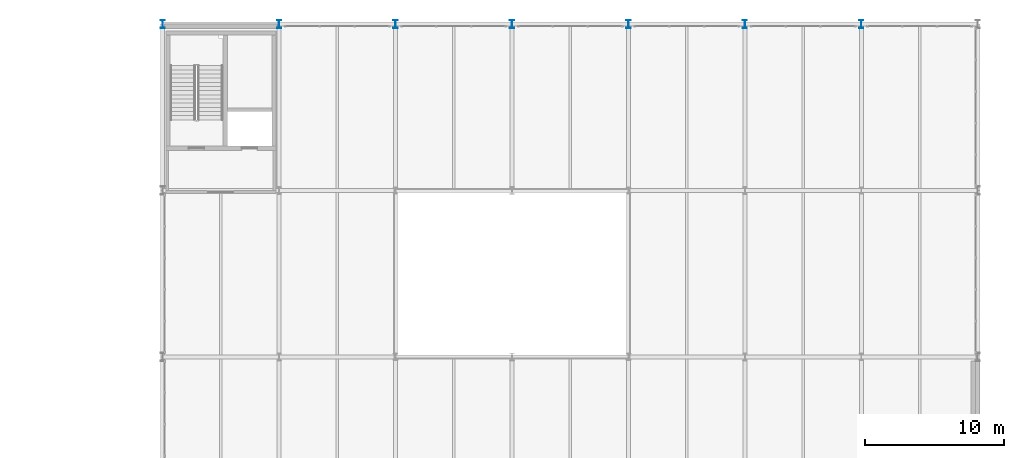
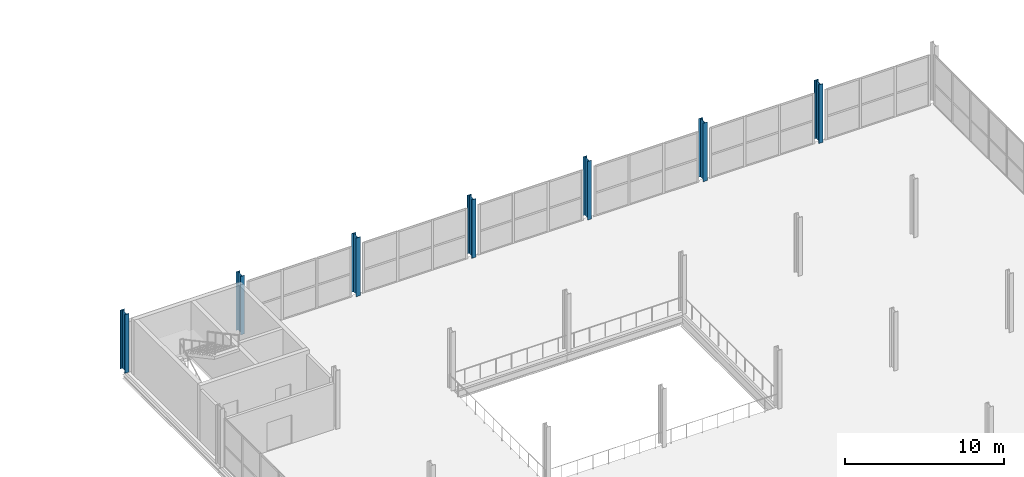
# One storey, part 7 of 109: 7 columns.
"""IFC4 building model written with IfcOpenShell, lengths in metres."""

from ifc_helpers import new_model, si_unit, direction, frame, origin, origin_2d, place, context, subcontext, project, spatial, i_section, extrude, material, material_profile, profile_set, type_object, element, save


model = new_model("IFC4")

# Units and contexts
model_context = context("Model", 3, precision=1e-05, world=origin(), true_north=direction((0.0, 1.0)))
body_context = subcontext(model_context, "Body", "Model", "MODEL_VIEW")
ifc_project = project(units=[si_unit("LENGTHUNIT", "METRE"), si_unit("AREAUNIT", "SQUARE_METRE"), si_unit("VOLUMEUNIT", "CUBIC_METRE"), si_unit("PLANEANGLEUNIT", "RADIAN"), si_unit("MASSUNIT", "GRAM", prefix="KILO")], contexts=[model_context])

# Site, building, storey
site_placement = place(None, origin())
site = spatial("IfcSite", under=ifc_project, at=site_placement, CompositionType="ELEMENT")
building_placement = place(site_placement, origin())
building = spatial("IfcBuilding", under=site, at=building_placement, Name="Veltarok Museum of Natural Sciences", CompositionType="ELEMENT")
storey_placement = place(building_placement, frame((0.0, 0.0, 17.39990234375)))
storey = spatial("IfcBuildingStorey", under=building, at=storey_placement, Name="L03", CompositionType="ELEMENT", Elevation=17.39990234375)

# Columns
ifc_material = material(Name="Steel S355J2", Category="steel")
ifc_material_profile = material_profile(ifc_material, i_section(OverallWidth=0.300048828125, OverallDepth=0.60009765625, WebThickness=0.015380859375, FlangeThickness=0.030029296875, FilletRadius=0.027099609375, at=origin_2d()), Name="HEB 600")
ifc_profile_set = profile_set([ifc_material_profile], Name="Steel S355J2")
column_type = type_object("IfcColumnType", Name="Perimeter Passage Column HEB 600", PredefinedType="COLUMN", material=ifc_profile_set)
for number, where, z_axis, x_axis, name in (
    (1, (40.0, 72.0, 0.0), (0.0, 0.0, 1.0), (1.0, 0.0, 0.0), "Column COL-EXT02 L03 5/H"),
    (2, (48.39990234375, 72.0, 0.0), (0.0, 0.0, 1.0), (1.0, 0.0, 0.0), "Column COL-EXT02 L03 6/H"),
    (3, (56.800048828125, 72.0, 0.0), (0.0, 0.0, 1.0), (1.0, 0.0, 0.0), "Column COL-EXT02 L03 7/H"),
    (4, (65.199951171875, 72.0, 0.0), (0.0, 0.0, 1.0), (1.0, 0.0, 0.0), "Column COL-EXT02 L03 8/H"),
    (5, (73.60009765625, 72.0, 0.0), (0.0, 0.0, 1.0), (1.0, 0.0, 0.0), "Column COL-EXT02 L03 9/H"),
    (6, (82.0, 72.0, 0.0), (0.0, 0.0, 1.0), (1.0, 0.0, 0.0), "Column COL-EXT02 L03 10/H"),
    (7, (90.39990234375, 72.0, 0.0), (0.0, 0.0, 1.0), (1.0, 0.0, 0.0), "Column COL-EXT02 L03 11/H"),
):
    element("IfcColumn", number, at=place(storey_placement, frame(where, z_axis=z_axis, x_axis=x_axis)), inside=storey, type_object=column_type, Name=name, PredefinedType="COLUMN", context=body_context, shape_type="SweptSolid", body=[
        extrude(i_section(OverallWidth=0.300048828125, OverallDepth=0.60009765625, WebThickness=0.015380859375, FlangeThickness=0.030029296875, FilletRadius=0.027099609375, at=origin_2d()), origin(), (0.0, 0.0, 1.0), 4.5),
    ])

save(model, "model.ifc")
